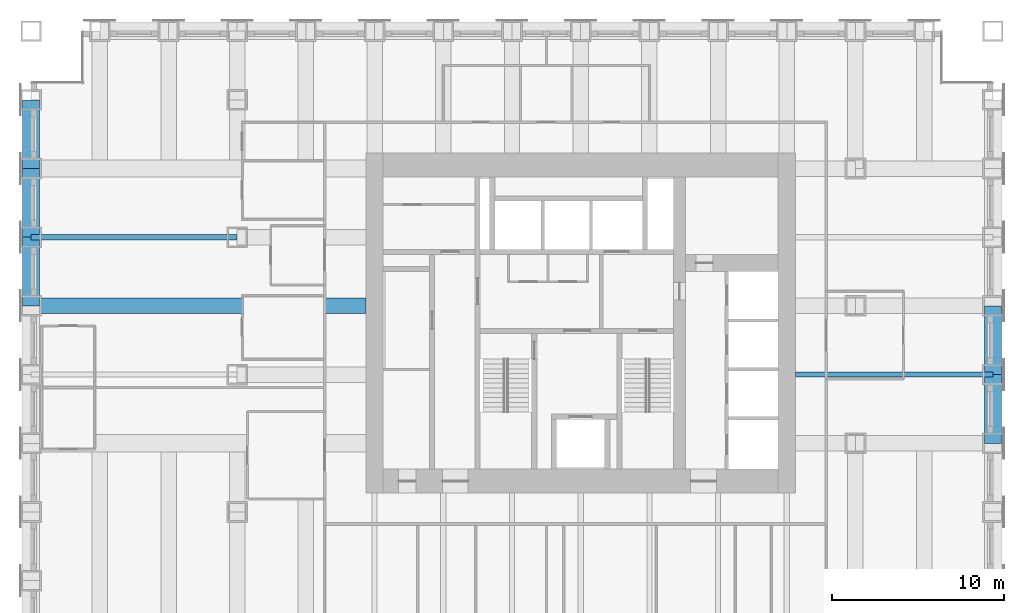
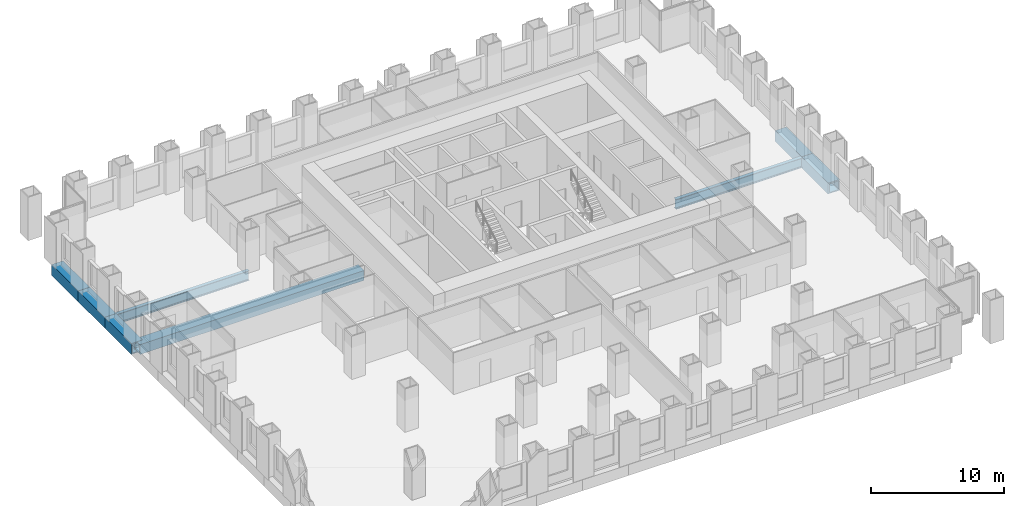
# One storey, part 5 of 15: 8 beams.
"""IFC4 building model written with IfcOpenShell, lengths in metres."""

from ifc_helpers import new_model, si_unit, direction, frame, origin, origin_2d, place, context, subcontext, project, spatial, hollow_rectangle, i_section, extrude, material, material_profile, profile_set, type_object, element, save


model = new_model("IFC4")

# Units and contexts
model_context = context("Model", 3, precision=1e-05, world=origin(), true_north=direction((0.0, 1.0)))
body_context = subcontext(model_context, "Body", "Model", "MODEL_VIEW")
ifc_project = project(units=[si_unit("LENGTHUNIT", "METRE"), si_unit("AREAUNIT", "SQUARE_METRE"), si_unit("VOLUMEUNIT", "CUBIC_METRE"), si_unit("PLANEANGLEUNIT", "RADIAN"), si_unit("MASSUNIT", "GRAM", prefix="KILO")], contexts=[model_context])

# Site, building, storey
site_placement = place(None, origin())
site = spatial("IfcSite", under=ifc_project, at=site_placement, CompositionType="ELEMENT")
building_placement = place(site_placement, origin())
building = spatial("IfcBuilding", under=site, at=building_placement, Name="Rimbunsela Tower", CompositionType="ELEMENT")
storey_placement = place(building_placement, frame((0.0, 0.0, 35.0)))
storey = spatial("IfcBuildingStorey", under=building, at=storey_placement, Name="L08", CompositionType="ELEMENT", Elevation=35.0)

# Beams
ifc_material_1 = material(Name="Steel BJ 55 (fy 410 MPa)", Category="steel")
ifc_material_profile_1 = material_profile(ifc_material_1, hollow_rectangle(XDim=1.0, YDim=1.0, WallThickness=0.10009765625, at=origin_2d()), Name="BOX 1000x1000x100")
ifc_profile_set_1 = profile_set([ifc_material_profile_1], Name="Steel BJ 55 (fy 410 MPa)")
beam_type_1 = type_object("IfcBeamType", Name="Beam BOX 1000x1000x100", PredefinedType="BEAM", material=ifc_profile_set_1)
for number, where, z_axis, x_axis, name in (
    (1, (-2.0, 28.0, -0.64990234375), (0.0, 1.0, 0.0), (-1.0, 0.0, 0.0), "Beam B3 L08"),
    (2, (-2.0, 32.0, -0.64990234375), (0.0, 1.0, 0.0), (-1.0, 0.0, 0.0), "Beam B3 L08"),
    (3, (-2.0, 36.0, -0.64990234375), (0.0, 1.0, 0.0), (-1.0, 0.0, 0.0), "Beam B3 L08"),
    (4, (54.0, 20.0, -0.64990234375), (0.0, 1.0, 0.0), (-1.0, 0.0, 0.0), "Beam B3 L08"),
    (5, (54.0, 24.0, -0.64990234375), (0.0, 1.0, 0.0), (-1.0, 0.0, 0.0), "Beam B3 L08"),
):
    element("IfcBeam", number, at=place(storey_placement, frame(where, z_axis=z_axis, x_axis=x_axis)), inside=storey, type_object=beam_type_1, Name=name, PredefinedType="BEAM", context=body_context, shape_type="SweptSolid", body=[
        extrude(hollow_rectangle(XDim=1.0, YDim=1.0, WallThickness=0.10009765625, at=origin_2d()), origin(), (0.0, 0.0, 1.0), 4.0),
    ])
ifc_material_2 = material(Name="Steel BJ 55 (fy 410 MPa)", Category="steel")
ifc_material_profile_2 = material_profile(ifc_material_2, hollow_rectangle(XDim=0.89990234375, YDim=0.89990234375, WallThickness=0.06005859375, at=origin_2d()), Name="BOX 900x900x60")
ifc_profile_set_2 = profile_set([ifc_material_profile_2], Name="Steel BJ 55 (fy 410 MPa)")
beam_type_2 = type_object("IfcBeamType", Name="Beam BOX 900x900x60", PredefinedType="BEAM", material=ifc_profile_set_2)
beam_1_placement = place(storey_placement, frame((-2.0, 28.0, -0.60009765625), z_axis=(1.0, 0.0, 0.0), x_axis=(0.0, 1.0, 0.0)))
element("IfcBeam", 6, at=beam_1_placement, inside=storey, type_object=beam_type_2, Name="Beam B1 L08", PredefinedType="BEAM", context=body_context, shape_type="SweptSolid", body=[
    extrude(hollow_rectangle(XDim=0.89990234375, YDim=0.89990234375, WallThickness=0.06005859375, at=origin_2d()), origin(), (0.0, 0.0, 1.0), 19.5),
])
ifc_material_3 = material(Name="Steel BJ 55 (fy 410 MPa)", Category="steel")
ifc_material_profile_3 = material_profile(ifc_material_3, i_section(OverallWidth=0.300048828125, OverallDepth=0.89990234375, WebThickness=0.01611328125, FlangeThickness=0.028076171875, FilletRadius=0.028076171875, at=origin_2d()), Name="H 900x300x16x28")
ifc_profile_set_3 = profile_set([ifc_material_profile_3], Name="Steel BJ 55 (fy 410 MPa)")
beam_type_3 = type_object("IfcBeamType", Name="Beam H 900x300x16x28", PredefinedType="BEAM", material=ifc_profile_set_3)
beam_2_placement = place(storey_placement, frame((-2.0, 32.0, -0.60009765625), z_axis=(1.0, 0.0, 0.0), x_axis=(0.0, 1.0, 0.0)))
element("IfcBeam", 7, at=beam_2_placement, inside=storey, type_object=beam_type_3, Name="Beam B2 L08", PredefinedType="BEAM", context=body_context, shape_type="SweptSolid", body=[
    extrude(i_section(OverallWidth=0.300048828125, OverallDepth=0.89990234375, WebThickness=0.01611328125, FlangeThickness=0.028076171875, FilletRadius=0.028076171875, at=origin_2d()), origin(), (0.0, 0.0, 1.0), 12.0),
])
beam_3_placement = place(storey_placement, frame((42.5, 24.0, -0.60009765625), z_axis=(1.0, 0.0, 0.0), x_axis=(0.0, 1.0, 0.0)))
element("IfcBeam", 8, at=beam_3_placement, inside=storey, type_object=beam_type_3, Name="Beam B2 L08", PredefinedType="BEAM", context=body_context, shape_type="SweptSolid", body=[
    extrude(i_section(OverallWidth=0.300048828125, OverallDepth=0.89990234375, WebThickness=0.01611328125, FlangeThickness=0.028076171875, FilletRadius=0.028076171875, at=origin_2d()), origin(), (0.0, 0.0, 1.0), 11.5),
])

save(model, "model.ifc")
